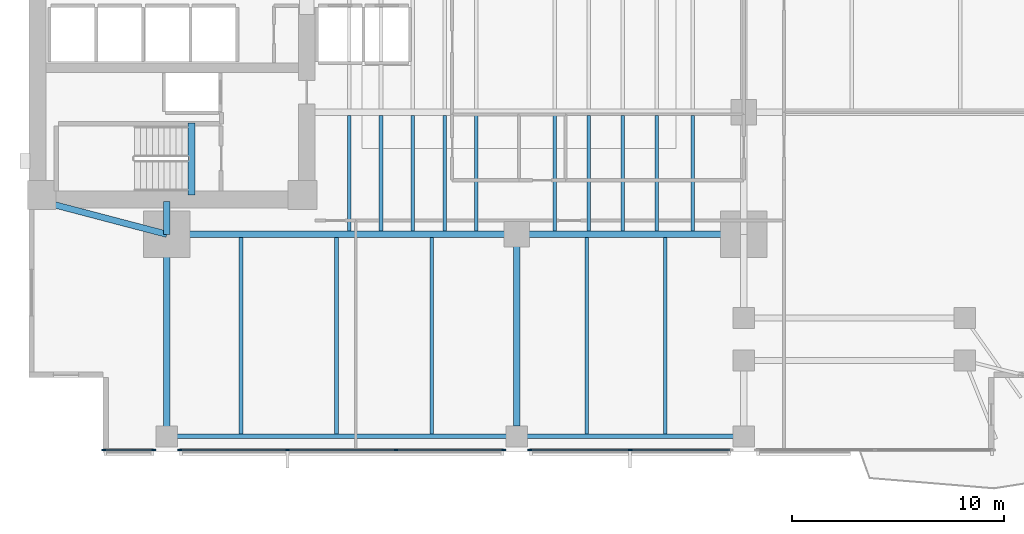
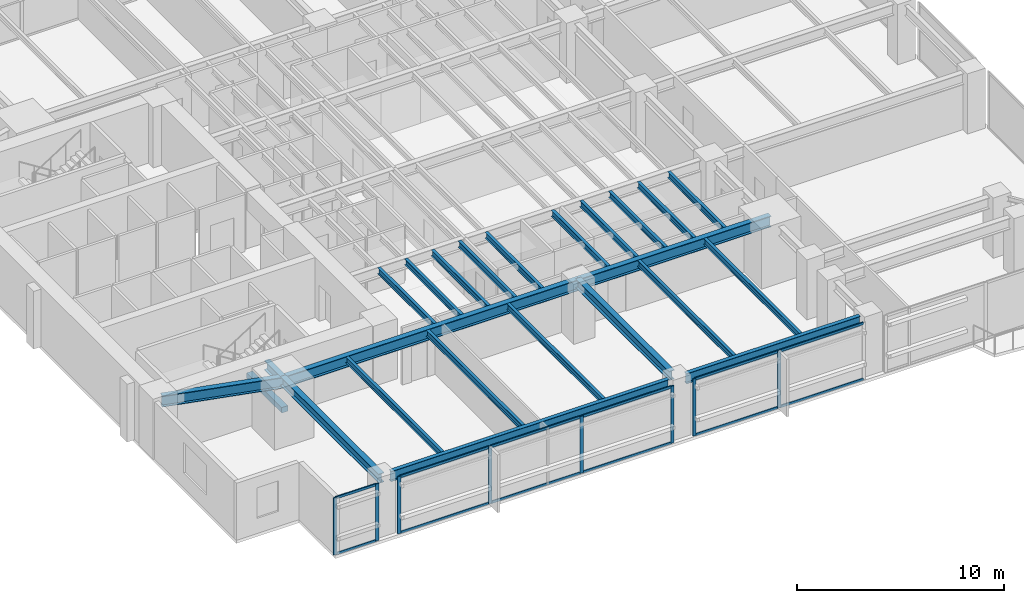
# One storey, part 2 of 15: 24 beams, 20 members, 3 elements without a shape of their own.
"""IFC4 building model written with IfcOpenShell, lengths in metres."""

from ifc_helpers import new_model, si_unit, direction, frame, origin, origin_2d, place, context, subcontext, project, spatial, rectangle, i_section, extrude, material, layer, layer_set, material_profile, profile_set, type_object, element, aggregate, save


model = new_model("IFC4")

# Units and contexts
model_context = context("Model", 3, precision=1e-05, world=origin(), true_north=direction((0.0, 1.0)))
body_context = subcontext(model_context, "Body", "Model", "MODEL_VIEW")
ifc_project = project(units=[si_unit("LENGTHUNIT", "METRE"), si_unit("AREAUNIT", "SQUARE_METRE"), si_unit("VOLUMEUNIT", "CUBIC_METRE"), si_unit("PLANEANGLEUNIT", "RADIAN"), si_unit("MASSUNIT", "GRAM", prefix="KILO")], contexts=[model_context])

# Site, building, storey
site_placement = place(None, origin())
site = spatial("IfcSite", under=ifc_project, at=site_placement, CompositionType="ELEMENT")
building_placement = place(site_placement, origin())
building = spatial("IfcBuilding", under=site, at=building_placement, Name="Kinhvarn Gate Tower", CompositionType="ELEMENT")
storey_placement = place(building_placement, frame((0.0, 0.0, 54.0)))
storey = spatial("IfcBuildingStorey", under=building, at=storey_placement, Name="L13", CompositionType="ELEMENT", Elevation=54.0)

# Beam
ifc_material_1 = material(Name="Concrete C50/60", Category="concrete")
ifc_material_profile_1 = material_profile(ifc_material_1, rectangle(XDim=0.340087890625, YDim=0.320068359375, at=origin_2d()), Name="RC 340x320")
ifc_profile_set_1 = profile_set([ifc_material_profile_1], Name="Concrete C50/60")
beam_type_1 = type_object("IfcBeamType", Name="BM-LND-500", PredefinedType="BEAM", material=ifc_profile_set_1)
beam_1_placement = place(storey_placement, frame((12.1650390625, 14.60009765625, -0.159912109375), z_axis=(0.0, 1.0, 0.0), x_axis=(-1.0, 0.0, 0.0)))
element("IfcBeam", 1, at=beam_1_placement, inside=storey, type_object=beam_type_1, Name="Stair ST1 Landing Nosing Beam (L13)", PredefinedType="BEAM", context=body_context, shape_type="SweptSolid", body=[
    extrude(rectangle(XDim=0.340087890625, YDim=0.320068359375, at=origin_2d()), origin(), (0.0, 0.0, 1.0), 3.39990234375),
])

# Curtain wall, members
ifc_material_2 = material(Name="Anodised aluminium AW-6063", Category="aluminium")
ifc_layer = layer(ifc_material_2, 0.179931640625)
ifc_layer_set = layer_set([ifc_layer], Name="Anodised aluminium AW-6063")
curtain_wall_type = type_object("IfcCurtainWallType", Name="CW-SYS-2", PredefinedType="NOTDEFINED", material=ifc_layer_set)
curtain_wall_1_placement = place(storey_placement, origin())
curtain_wall_1 = element("IfcCurtainWall", 2, at=curtain_wall_1_placement, inside=storey, type_object=curtain_wall_type, Name="Curtain Wall CW2 (L13)", PredefinedType="NOTDEFINED")
ifc_material_profile_2 = material_profile(ifc_material_2, rectangle(XDim=0.070068359375, YDim=0.179931640625, at=origin_2d()), Name="ALU 70x180")
ifc_profile_set_2 = profile_set([ifc_material_profile_2], Name="Anodised aluminium AW-6063")
member_type_1 = type_object("IfcMemberType", Name="CW-MUL-180", PredefinedType="MULLION", material=ifc_profile_set_2)
member_1_placement = place(storey_placement, frame((8.034912109375, 2.590087890625, 0.0), z_axis=(0.0, 0.0, 1.0), x_axis=(0.0, 1.0, 0.0)))
member_1 = element("IfcMember", 3, at=member_1_placement, type_object=member_type_1, Name="CW2 mullion 1", PredefinedType="MULLION", context=body_context, shape_type="SweptSolid", body=[
    extrude(rectangle(XDim=0.070068359375, YDim=0.179931640625, at=origin_2d()), origin(), (0.0, 0.0, 1.0), 3.3701171875),
])
member_2_placement = place(storey_placement, frame((10.385009765625, 2.590087890625, 0.0), z_axis=(0.0, 0.0, 1.0), x_axis=(0.0, 1.0, 0.0)))
member_2 = element("IfcMember", 4, at=member_2_placement, type_object=member_type_1, Name="CW2 mullion 2", PredefinedType="MULLION", context=body_context, shape_type="SweptSolid", body=[
    extrude(rectangle(XDim=0.070068359375, YDim=0.179931640625, at=origin_2d()), origin(), (0.0, 0.0, 1.0), 3.3701171875),
])

curtain_wall_2_placement = place(storey_placement, origin())
curtain_wall_2 = element("IfcCurtainWall", 5, at=curtain_wall_2_placement, inside=storey, type_object=curtain_wall_type, Name="Curtain Wall CW2 (L13)", PredefinedType="NOTDEFINED")
member_3_placement = place(storey_placement, frame((11.614990234375, 2.590087890625, 0.0), z_axis=(0.0, 0.0, 1.0), x_axis=(0.0, 1.0, 0.0)))
member_3 = element("IfcMember", 6, at=member_3_placement, type_object=member_type_1, Name="CW2 mullion 1", PredefinedType="MULLION", context=body_context, shape_type="SweptSolid", body=[
    extrude(rectangle(XDim=0.070068359375, YDim=0.179931640625, at=origin_2d()), origin(), (0.0, 0.0, 1.0), 3.3701171875),
])
member_4_placement = place(storey_placement, frame((16.693359375, 2.590087890625, 0.0), z_axis=(0.0, 0.0, 1.0), x_axis=(0.0, 1.0, 0.0)))
member_4 = element("IfcMember", 7, at=member_4_placement, type_object=member_type_1, Name="CW2 mullion 2", PredefinedType="MULLION", context=body_context, shape_type="SweptSolid", body=[
    extrude(rectangle(XDim=0.070068359375, YDim=0.179931640625, at=origin_2d()), origin(), (0.0, 0.0, 1.0), 3.3701171875),
])
member_5_placement = place(storey_placement, frame((21.806640625, 2.590087890625, 0.0), z_axis=(0.0, 0.0, 1.0), x_axis=(0.0, 1.0, 0.0)))
member_5 = element("IfcMember", 8, at=member_5_placement, type_object=member_type_1, Name="CW2 mullion 3", PredefinedType="MULLION", context=body_context, shape_type="SweptSolid", body=[
    extrude(rectangle(XDim=0.070068359375, YDim=0.179931640625, at=origin_2d()), origin(), (0.0, 0.0, 1.0), 3.3701171875),
])
member_6_placement = place(storey_placement, frame((26.885009765625, 2.590087890625, 0.0), z_axis=(0.0, 0.0, 1.0), x_axis=(0.0, 1.0, 0.0)))
member_6 = element("IfcMember", 9, at=member_6_placement, type_object=member_type_1, Name="CW2 mullion 4", PredefinedType="MULLION", context=body_context, shape_type="SweptSolid", body=[
    extrude(rectangle(XDim=0.070068359375, YDim=0.179931640625, at=origin_2d()), origin(), (0.0, 0.0, 1.0), 3.3701171875),
])

curtain_wall_3_placement = place(storey_placement, origin())
curtain_wall_3 = element("IfcCurtainWall", 10, at=curtain_wall_3_placement, inside=storey, type_object=curtain_wall_type, Name="Curtain Wall CW2 (L13)", PredefinedType="NOTDEFINED")
member_7_placement = place(storey_placement, frame((28.114990234375, 2.590087890625, 0.0), z_axis=(0.0, 0.0, 1.0), x_axis=(0.0, 1.0, 0.0)))
member_7 = element("IfcMember", 11, at=member_7_placement, type_object=member_type_1, Name="CW2 mullion 1", PredefinedType="MULLION", context=body_context, shape_type="SweptSolid", body=[
    extrude(rectangle(XDim=0.070068359375, YDim=0.179931640625, at=origin_2d()), origin(), (0.0, 0.0, 1.0), 3.3701171875),
])
member_8_placement = place(storey_placement, frame((32.85009765625, 2.590087890625, 0.0), z_axis=(0.0, 0.0, 1.0), x_axis=(0.0, 1.0, 0.0)))
member_8 = element("IfcMember", 12, at=member_8_placement, type_object=member_type_1, Name="CW2 mullion 2", PredefinedType="MULLION", context=body_context, shape_type="SweptSolid", body=[
    extrude(rectangle(XDim=0.070068359375, YDim=0.179931640625, at=origin_2d()), origin(), (0.0, 0.0, 1.0), 3.3701171875),
])

# Member
ifc_material_profile_3 = material_profile(ifc_material_2, rectangle(XDim=0.070068359375, YDim=0.139892578125, at=origin_2d()), Name="ALU 70x140")
ifc_profile_set_3 = profile_set([ifc_material_profile_3], Name="Anodised aluminium AW-6063")
member_type_2 = type_object("IfcMemberType", Name="CW-TRN-140", PredefinedType="USERDEFINED", material=ifc_profile_set_3)
member_9_placement = place(storey_placement, frame((8.070068359375, 2.590087890625, 0.034912109375), z_axis=(1.0, 0.0, 0.0), x_axis=(0.0, 1.0, 0.0)))
member_9 = element("IfcMember", 13, at=member_9_placement, type_object=member_type_2, Name="CW2 transom 1.1", ObjectType="TRANSOM", PredefinedType="USERDEFINED", context=body_context, shape_type="SweptSolid", body=[
    extrude(rectangle(XDim=0.070068359375, YDim=0.139892578125, at=origin_2d()), origin(), (0.0, 0.0, 1.0), 2.280029296875),
])

member_10_placement = place(storey_placement, frame((8.070068359375, 2.590087890625, 3.3349609375), z_axis=(1.0, 0.0, 0.0), x_axis=(0.0, 1.0, 0.0)))
member_10 = element("IfcMember", 14, at=member_10_placement, type_object=member_type_2, Name="CW2 transom 1.2", ObjectType="TRANSOM", PredefinedType="USERDEFINED", context=body_context, shape_type="SweptSolid", body=[
    extrude(rectangle(XDim=0.070068359375, YDim=0.139892578125, at=origin_2d()), origin(), (0.0, 0.0, 1.0), 2.280029296875),
])

aggregate(curtain_wall_1, [member_1, member_2, member_9, member_10])

member_11_placement = place(storey_placement, frame((11.64990234375, 2.590087890625, 0.034912109375), z_axis=(1.0, 0.0, 0.0), x_axis=(0.0, 1.0, 0.0)))
member_11 = element("IfcMember", 15, at=member_11_placement, type_object=member_type_2, Name="CW2 transom 1.1", ObjectType="TRANSOM", PredefinedType="USERDEFINED", context=body_context, shape_type="SweptSolid", body=[
    extrude(rectangle(XDim=0.070068359375, YDim=0.139892578125, at=origin_2d()), origin(), (0.0, 0.0, 1.0), 5.008544921875),
])

member_12_placement = place(storey_placement, frame((11.64990234375, 2.590087890625, 3.3349609375), z_axis=(1.0, 0.0, 0.0), x_axis=(0.0, 1.0, 0.0)))
member_12 = element("IfcMember", 16, at=member_12_placement, type_object=member_type_2, Name="CW2 transom 1.2", ObjectType="TRANSOM", PredefinedType="USERDEFINED", context=body_context, shape_type="SweptSolid", body=[
    extrude(rectangle(XDim=0.070068359375, YDim=0.139892578125, at=origin_2d()), origin(), (0.0, 0.0, 1.0), 5.008544921875),
])

member_13_placement = place(storey_placement, frame((16.728271484375, 2.590087890625, 0.034912109375), z_axis=(1.0, 0.0, 0.0), x_axis=(0.0, 1.0, 0.0)))
member_13 = element("IfcMember", 17, at=member_13_placement, type_object=member_type_2, Name="CW2 transom 2.1", ObjectType="TRANSOM", PredefinedType="USERDEFINED", context=body_context, shape_type="SweptSolid", body=[
    extrude(rectangle(XDim=0.070068359375, YDim=0.139892578125, at=origin_2d()), origin(), (0.0, 0.0, 1.0), 5.04345703125),
])

member_14_placement = place(storey_placement, frame((16.728271484375, 2.590087890625, 3.3349609375), z_axis=(1.0, 0.0, 0.0), x_axis=(0.0, 1.0, 0.0)))
member_14 = element("IfcMember", 18, at=member_14_placement, type_object=member_type_2, Name="CW2 transom 2.2", ObjectType="TRANSOM", PredefinedType="USERDEFINED", context=body_context, shape_type="SweptSolid", body=[
    extrude(rectangle(XDim=0.070068359375, YDim=0.139892578125, at=origin_2d()), origin(), (0.0, 0.0, 1.0), 5.04345703125),
])

member_15_placement = place(storey_placement, frame((21.841552734375, 2.590087890625, 0.034912109375), z_axis=(1.0, 0.0, 0.0), x_axis=(0.0, 1.0, 0.0)))
member_15 = element("IfcMember", 19, at=member_15_placement, type_object=member_type_2, Name="CW2 transom 3.1", ObjectType="TRANSOM", PredefinedType="USERDEFINED", context=body_context, shape_type="SweptSolid", body=[
    extrude(rectangle(XDim=0.070068359375, YDim=0.139892578125, at=origin_2d()), origin(), (0.0, 0.0, 1.0), 5.008544921875),
])

member_16_placement = place(storey_placement, frame((21.841552734375, 2.590087890625, 3.3349609375), z_axis=(1.0, 0.0, 0.0), x_axis=(0.0, 1.0, 0.0)))
member_16 = element("IfcMember", 20, at=member_16_placement, type_object=member_type_2, Name="CW2 transom 3.2", ObjectType="TRANSOM", PredefinedType="USERDEFINED", context=body_context, shape_type="SweptSolid", body=[
    extrude(rectangle(XDim=0.070068359375, YDim=0.139892578125, at=origin_2d()), origin(), (0.0, 0.0, 1.0), 5.008544921875),
])

aggregate(curtain_wall_2, [member_3, member_4, member_5, member_6, member_11, member_12, member_13, member_14, member_15, member_16])

member_17_placement = place(storey_placement, frame((28.14990234375, 2.590087890625, 0.034912109375), z_axis=(1.0, 0.0, 0.0), x_axis=(0.0, 1.0, 0.0)))
member_17 = element("IfcMember", 21, at=member_17_placement, type_object=member_type_2, Name="CW2 transom 1.1", ObjectType="TRANSOM", PredefinedType="USERDEFINED", context=body_context, shape_type="SweptSolid", body=[
    extrude(rectangle(XDim=0.070068359375, YDim=0.139892578125, at=origin_2d()), origin(), (0.0, 0.0, 1.0), 4.6650390625),
])

member_18_placement = place(storey_placement, frame((28.14990234375, 2.590087890625, 3.3349609375), z_axis=(1.0, 0.0, 0.0), x_axis=(0.0, 1.0, 0.0)))
member_18 = element("IfcMember", 22, at=member_18_placement, type_object=member_type_2, Name="CW2 transom 1.2", ObjectType="TRANSOM", PredefinedType="USERDEFINED", context=body_context, shape_type="SweptSolid", body=[
    extrude(rectangle(XDim=0.070068359375, YDim=0.139892578125, at=origin_2d()), origin(), (0.0, 0.0, 1.0), 4.6650390625),
])

member_19_placement = place(storey_placement, frame((32.885009765625, 2.590087890625, 0.034912109375), z_axis=(1.0, 0.0, 0.0), x_axis=(0.0, 1.0, 0.0)))
member_19 = element("IfcMember", 23, at=member_19_placement, type_object=member_type_2, Name="CW2 transom 2.1", ObjectType="TRANSOM", PredefinedType="USERDEFINED", context=body_context, shape_type="SweptSolid", body=[
    extrude(rectangle(XDim=0.070068359375, YDim=0.139892578125, at=origin_2d()), origin(), (0.0, 0.0, 1.0), 4.6650390625),
])

member_20_placement = place(storey_placement, frame((32.885009765625, 2.590087890625, 3.3349609375), z_axis=(1.0, 0.0, 0.0), x_axis=(0.0, 1.0, 0.0)))
member_20 = element("IfcMember", 24, at=member_20_placement, type_object=member_type_2, Name="CW2 transom 2.2", ObjectType="TRANSOM", PredefinedType="USERDEFINED", context=body_context, shape_type="SweptSolid", body=[
    extrude(rectangle(XDim=0.070068359375, YDim=0.139892578125, at=origin_2d()), origin(), (0.0, 0.0, 1.0), 4.6650390625),
])

aggregate(curtain_wall_3, [member_7, member_8, member_17, member_18, member_19, member_20])

# Beams
ifc_material_3 = material(Name="Steel S355", Category="steel")
ifc_material_profile_4 = material_profile(ifc_material_3, i_section(OverallWidth=0.300048828125, OverallDepth=0.550048828125, WebThickness=0.014892578125, FlangeThickness=0.029052734375, at=origin_2d()), Name="HEB 550")
ifc_profile_set_4 = profile_set([ifc_material_profile_4], Name="Steel S355")
beam_type_2 = type_object("IfcBeamType", Name="STL-HEB550", PredefinedType="BEAM", material=ifc_profile_set_4)
beam_2_placement = place(storey_placement, frame((11.0, 3.219970703125, 3.094970703125), z_axis=(0.0, 1.0, 0.0), x_axis=(-1.0, 0.0, 0.0)))
element("IfcBeam", 25, at=beam_2_placement, inside=storey, type_object=beam_type_2, Name="Floor Beam PG-15 (L13 MCW-S)", PredefinedType="BEAM", context=body_context, shape_type="SweptSolid", body=[
    extrude(i_section(OverallWidth=0.300048828125, OverallDepth=0.550048828125, WebThickness=0.014892578125, FlangeThickness=0.029052734375, at=origin_2d()), origin(), (0.0, 0.0, 1.0), 9.530029296875),
])
beam_3_placement = place(storey_placement, frame((11.0, 12.75, 3.094970703125), z_axis=(0.0, 1.0, 0.0), x_axis=(-1.0, 0.0, 0.0)))
element("IfcBeam", 26, at=beam_3_placement, inside=storey, type_object=beam_type_2, Name="Floor Beam PG-15 (L13 MCW-CS)", PredefinedType="BEAM", context=body_context, shape_type="SweptSolid", body=[
    extrude(i_section(OverallWidth=0.300048828125, OverallDepth=0.550048828125, WebThickness=0.014892578125, FlangeThickness=0.029052734375, at=origin_2d()), origin(), (0.0, 0.0, 1.0), 1.550048828125),
])
beam_4_placement = place(storey_placement, frame((27.5, 3.705078125, 3.094970703125), z_axis=(0.0, 1.0, 0.0), x_axis=(-1.0, 0.0, 0.0)))
element("IfcBeam", 27, at=beam_4_placement, inside=storey, type_object=beam_type_2, Name="Floor Beam PG-15 (L13 SP27-S-TIE)", PredefinedType="BEAM", context=body_context, shape_type="SweptSolid", body=[
    extrude(i_section(OverallWidth=0.300048828125, OverallDepth=0.550048828125, WebThickness=0.014892578125, FlangeThickness=0.029052734375, at=origin_2d()), origin(), (0.0, 0.0, 1.0), 9.044921875),
])
ifc_material_profile_5 = material_profile(ifc_material_3, i_section(OverallWidth=0.300048828125, OverallDepth=0.64990234375, WebThickness=0.01611328125, FlangeThickness=0.031005859375, at=origin_2d()), Name="HEB 650")
ifc_profile_set_5 = profile_set([ifc_material_profile_5], Name="Steel S355")
beam_type_3 = type_object("IfcBeamType", Name="STL-HEB650", PredefinedType="BEAM", material=ifc_profile_set_5)
beam_5_placement = place(storey_placement, frame((11.0, 12.75, 3.044921875), z_axis=(1.0, 0.0, 0.0), x_axis=(0.0, 1.0, 0.0)))
element("IfcBeam", 28, at=beam_5_placement, inside=storey, type_object=beam_type_3, Name="Floor Beam PG-17 (L13 MG-S1)", PredefinedType="BEAM", context=body_context, shape_type="SweptSolid", body=[
    extrude(i_section(OverallWidth=0.300048828125, OverallDepth=0.64990234375, WebThickness=0.01611328125, FlangeThickness=0.031005859375, at=origin_2d()), origin(), (0.0, 0.0, 1.0), 16.5),
])
beam_6_placement = place(storey_placement, frame((27.5, 12.75, 3.044921875), z_axis=(1.0, 0.0, 0.0), x_axis=(0.0, 1.0, 0.0)))
element("IfcBeam", 29, at=beam_6_placement, inside=storey, type_object=beam_type_3, Name="Floor Beam PG-17 (L13 MG-S2)", PredefinedType="BEAM", context=body_context, shape_type="SweptSolid", body=[
    extrude(i_section(OverallWidth=0.300048828125, OverallDepth=0.64990234375, WebThickness=0.01611328125, FlangeThickness=0.031005859375, at=origin_2d()), origin(), (0.0, 0.0, 1.0), 10.699951171875),
])
beam_7_placement = place(storey_placement, frame((5.10009765625, 14.300048828125, 3.044921875), z_axis=(0.967177623957, -0.254101246979, 0.0), x_axis=(0.254101246979, 0.967177623957, 0.0)))
element("IfcBeam", 30, at=beam_7_placement, inside=storey, type_object=beam_type_3, Name="Floor Beam PG-17 (L13 MG-SW-DIAG)", PredefinedType="BEAM", context=body_context, shape_type="SweptSolid", body=[
    extrude(i_section(OverallWidth=0.300048828125, OverallDepth=0.64990234375, WebThickness=0.01611328125, FlangeThickness=0.031005859375, at=origin_2d()), origin(), (0.0, 0.0, 1.0), 6.10009765625),
])
ifc_material_profile_6 = material_profile(ifc_material_3, i_section(OverallWidth=0.169921875, OverallDepth=0.360107421875, WebThickness=0.008056640625, FlangeThickness=0.0126953125, at=origin_2d()), Name="IPE 360")
ifc_profile_set_6 = profile_set([ifc_material_profile_6], Name="Steel S355")
beam_type_4 = type_object("IfcBeamType", Name="STL-IPE360", PredefinedType="JOIST", material=ifc_profile_set_6)
for number, where, z_axis, x_axis, name in (
    (31, (19.60009765625, 12.89990234375, 3.18994140625), (0.0, 1.0, 0.0), (-1.0, 0.0, 0.0), "Floor Joist SB-04 (L13 JC-X196-0)"),
    (32, (21.10009765625, 12.89990234375, 3.18994140625), (0.0, 1.0, 0.0), (-1.0, 0.0, 0.0), "Floor Joist SB-04 (L13 JC-X211-0)"),
    (33, (22.60009765625, 12.89990234375, 3.18994140625), (0.0, 1.0, 0.0), (-1.0, 0.0, 0.0), "Floor Joist SB-04 (L13 JC-X226-0)"),
    (34, (24.10009765625, 12.89990234375, 3.18994140625), (0.0, 1.0, 0.0), (-1.0, 0.0, 0.0), "Floor Joist SB-04 (L13 JC-X241-0)"),
    (35, (25.60009765625, 12.89990234375, 3.18994140625), (0.0, 1.0, 0.0), (-1.0, 0.0, 0.0), "Floor Joist SB-04 (L13 JC-X256-0)"),
    (36, (29.300048828125, 12.89990234375, 3.18994140625), (0.0, 1.0, 0.0), (-1.0, 0.0, 0.0), "Floor Joist SB-04 (L13 JC-X293-0)"),
    (37, (30.89990234375, 12.89990234375, 3.18994140625), (0.0, 1.0, 0.0), (-1.0, 0.0, 0.0), "Floor Joist SB-04 (L13 JC-X309-0)"),
    (38, (32.5, 12.89990234375, 3.18994140625), (0.0, 1.0, 0.0), (-1.0, 0.0, 0.0), "Floor Joist SB-04 (L13 JC-X325-0)"),
    (39, (34.10009765625, 12.89990234375, 3.18994140625), (0.0, 1.0, 0.0), (-1.0, 0.0, 0.0), "Floor Joist SB-04 (L13 JC-X341-0)"),
    (40, (35.800048828125, 12.89990234375, 3.18994140625), (0.0, 1.0, 0.0), (-1.0, 0.0, 0.0), "Floor Joist SB-04 (L13 JC-X358-0)"),
):
    element("IfcBeam", number, at=place(storey_placement, frame(where, z_axis=z_axis, x_axis=x_axis)), inside=storey, type_object=beam_type_4, Name=name, PredefinedType="JOIST", context=body_context, shape_type="SweptSolid", body=[
        extrude(i_section(OverallWidth=0.169921875, OverallDepth=0.360107421875, WebThickness=0.008056640625, FlangeThickness=0.0126953125, at=origin_2d()), origin(), (0.0, 0.0, 1.0), 5.4501953125),
    ])
for number, where, z_axis, x_axis, name in (
    (41, (14.5, 3.330078125, 3.18994140625), (0.0, 1.0, 0.0), (-1.0, 0.0, 0.0), "Floor Joist SB-04 (L13 JS-X145)"),
    (42, (19.0, 3.330078125, 3.18994140625), (0.0, 1.0, 0.0), (-1.0, 0.0, 0.0), "Floor Joist SB-04 (L13 JS-X190)"),
    (43, (23.5, 3.330078125, 3.18994140625), (0.0, 1.0, 0.0), (-1.0, 0.0, 0.0), "Floor Joist SB-04 (L13 JS-X235)"),
    (44, (30.800048828125, 3.330078125, 3.18994140625), (0.0, 1.0, 0.0), (-1.0, 0.0, 0.0), "Floor Joist SB-04 (L13 JS-X308)"),
    (45, (34.5, 3.330078125, 3.18994140625), (0.0, 1.0, 0.0), (-1.0, 0.0, 0.0), "Floor Joist SB-04 (L13 JS-X345)"),
):
    element("IfcBeam", number, at=place(storey_placement, frame(where, z_axis=z_axis, x_axis=x_axis)), inside=storey, type_object=beam_type_4, Name=name, PredefinedType="JOIST", context=body_context, shape_type="SweptSolid", body=[
        extrude(i_section(OverallWidth=0.169921875, OverallDepth=0.360107421875, WebThickness=0.008056640625, FlangeThickness=0.0126953125, at=origin_2d()), origin(), (0.0, 0.0, 1.0), 9.27001953125),
    ])
ifc_material_profile_7 = material_profile(ifc_material_3, i_section(OverallWidth=0.219970703125, OverallDepth=0.60009765625, WebThickness=0.011962890625, FlangeThickness=0.01904296875, at=origin_2d()), Name="IPE 600")
ifc_profile_set_7 = profile_set([ifc_material_profile_7], Name="Steel S355")
beam_type_5 = type_object("IfcBeamType", Name="STL-IPE600", PredefinedType="SPANDREL", material=ifc_profile_set_7)
beam_8_placement = place(storey_placement, frame((11.485107421875, 3.219970703125, 3.070068359375), z_axis=(1.0, 0.0, 0.0), x_axis=(0.0, 1.0, 0.0)))
element("IfcBeam", 46, at=beam_8_placement, inside=storey, type_object=beam_type_5, Name="Floor Spandrel SB-09 (L13 SP-S1)", PredefinedType="SPANDREL", context=body_context, shape_type="SweptSolid", body=[
    extrude(i_section(OverallWidth=0.219970703125, OverallDepth=0.60009765625, WebThickness=0.011962890625, FlangeThickness=0.01904296875, at=origin_2d()), origin(), (0.0, 0.0, 1.0), 15.52978515625),
])
beam_9_placement = place(storey_placement, frame((27.985107421875, 3.219970703125, 3.070068359375), z_axis=(1.0, 0.0, 0.0), x_axis=(0.0, 1.0, 0.0)))
element("IfcBeam", 47, at=beam_9_placement, inside=storey, type_object=beam_type_5, Name="Floor Spandrel SB-09 (L13 SP-S2)", PredefinedType="SPANDREL", context=body_context, shape_type="SweptSolid", body=[
    extrude(i_section(OverallWidth=0.219970703125, OverallDepth=0.60009765625, WebThickness=0.011962890625, FlangeThickness=0.01904296875, at=origin_2d()), origin(), (0.0, 0.0, 1.0), 9.72998046875),
])

save(model, "model.ifc")
